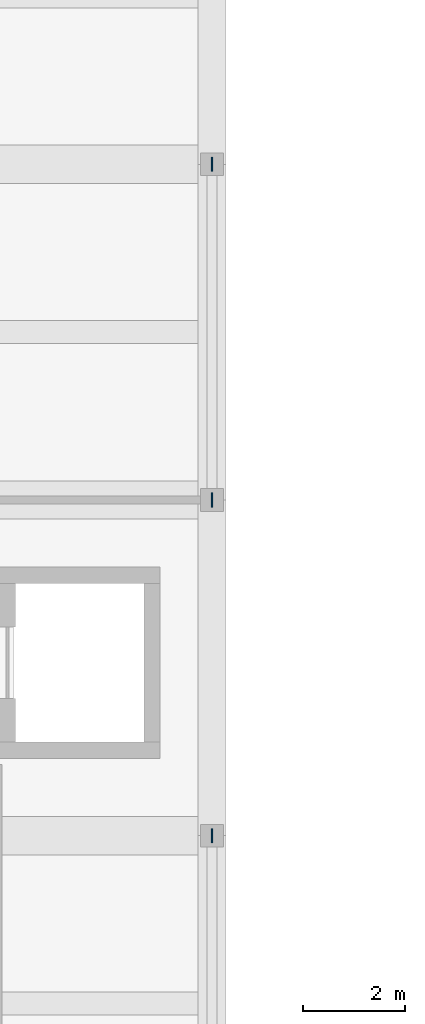
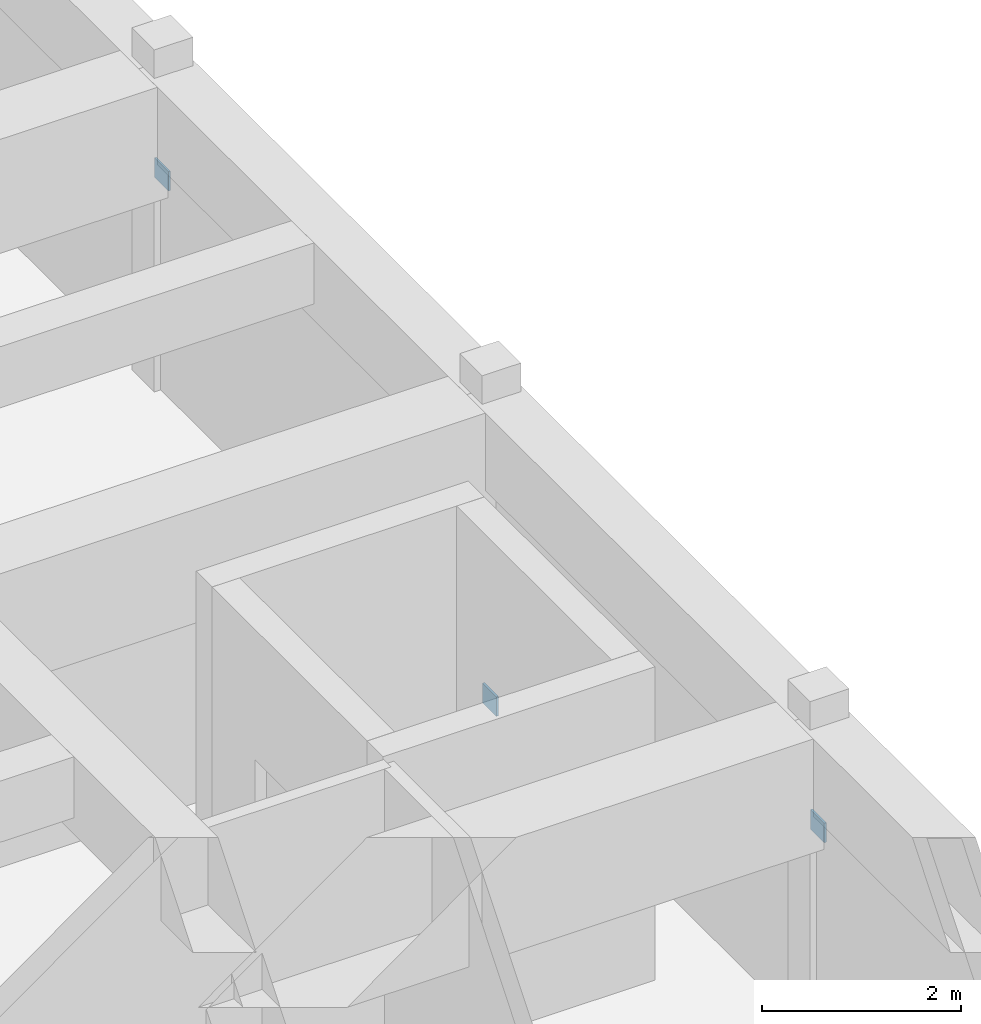
# One storey, part 134 of 157: 3 plates.
"""IFC4 building model written with IfcOpenShell, lengths in metres."""

from ifc_helpers import new_model, si_unit, direction, frame, origin, origin_2d, place, context, subcontext, project, spatial, rectangle, extrude, material, layer, layer_set, type_object, element, save


model = new_model("IFC4")

# Units and contexts
model_context = context("Model", 3, precision=1e-05, world=origin(), true_north=direction((0.0, 1.0)))
body_context = subcontext(model_context, "Body", "Model", "MODEL_VIEW")
ifc_project = project(units=[si_unit("LENGTHUNIT", "METRE"), si_unit("AREAUNIT", "SQUARE_METRE"), si_unit("VOLUMEUNIT", "CUBIC_METRE"), si_unit("PLANEANGLEUNIT", "RADIAN"), si_unit("MASSUNIT", "GRAM", prefix="KILO")], contexts=[model_context])

# Site, building, storey
site_placement = place(None, origin())
site = spatial("IfcSite", under=ifc_project, at=site_placement, CompositionType="ELEMENT")
building_placement = place(site_placement, origin())
building = spatial("IfcBuilding", under=site, at=building_placement, Name="Karori Crest Natural Sciences Institute", CompositionType="ELEMENT")
storey_placement = place(building_placement, frame((0.0, 0.0, 13.300048828125)))
storey = spatial("IfcBuildingStorey", under=building, at=storey_placement, Name="L03", CompositionType="ELEMENT", Elevation=13.300048828125)

# Plates
ifc_material = material(Name="Structural steel AS/NZS 3679.1 Grade 350", Category="steel")
ifc_layer = layer(ifc_material, 0.02490234375, Name="Structural steel AS/NZS 3679.1 Grade 350")
ifc_layer_set = layer_set([ifc_layer], Name="Structural steel AS/NZS 3679.1 Grade 350")
plate_type = type_object("IfcPlateType", Name="PLT-06-EL", PredefinedType="SHEET", material=ifc_layer_set)
for number, where, z_axis, x_axis, name in (
    (1, (27.199951171875, 101.60009765625, 2.33984375), (0.0, 0.0, 1.0), (0.0, 1.0, 0.0), "Brace gusset plate EP-0375"),
    (2, (27.199951171875, 108.199951171875, -0.10986328125), (0.0, 0.0, 1.0), (0.0, 1.0, 0.0), "Brace gusset plate EP-0376"),
    (3, (27.199951171875, 114.800048828125, 2.33984375), (0.0, 0.0, 1.0), (0.0, 1.0, 0.0), "Brace gusset plate EP-0377"),
):
    element("IfcPlate", number, at=place(storey_placement, frame(where, z_axis=z_axis, x_axis=x_axis)), inside=storey, type_object=plate_type, Name=name, PredefinedType="SHEET", context=body_context, shape_type="SweptSolid", body=[
        extrude(rectangle(XDim=0.280029296875, YDim=0.02490234375, at=origin_2d()), origin(), (0.0, 0.0, 1.0), 0.239990234375),
    ])

save(model, "model.ifc")
